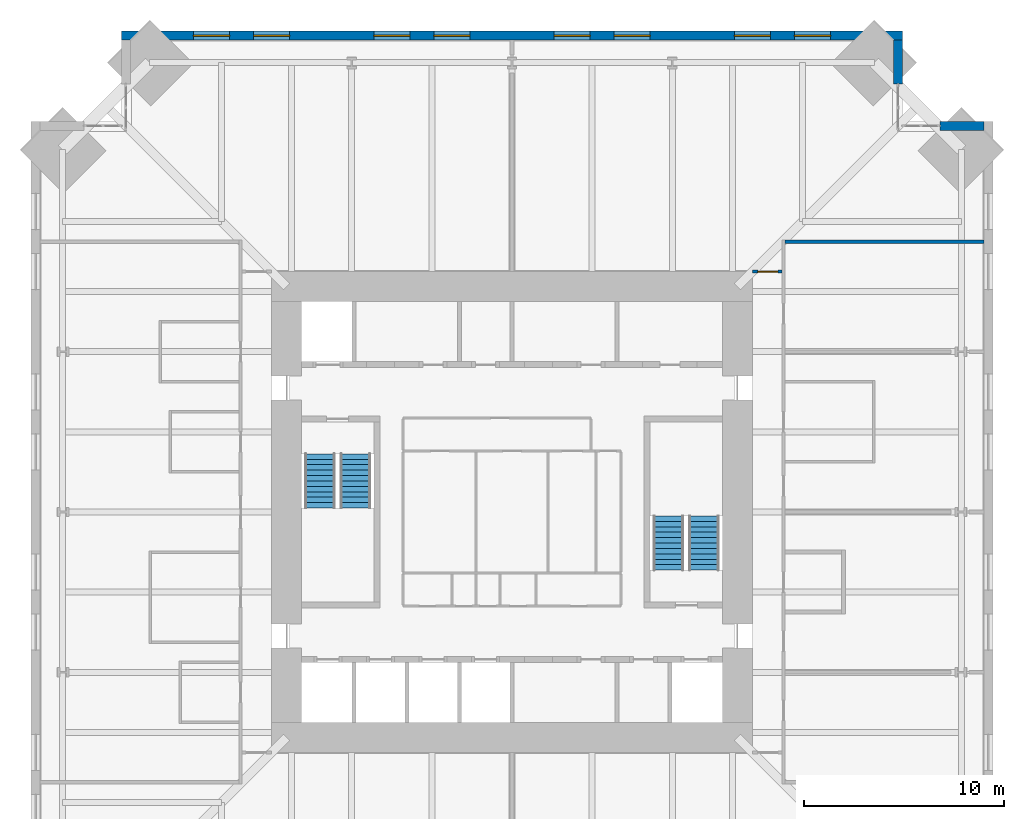
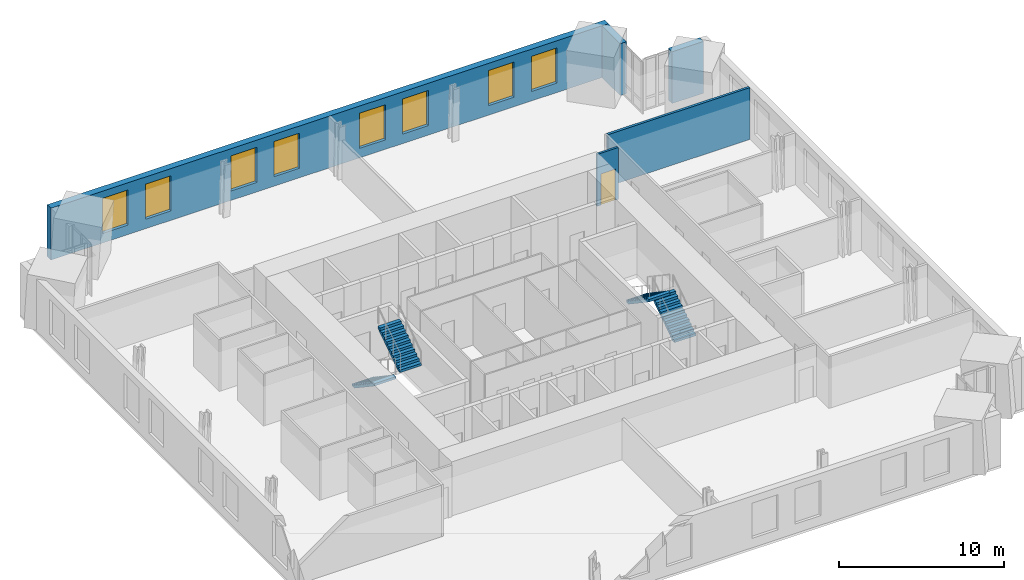
# One storey, part 14 of 15: 8 windows, 5 walls, 4 stair flights, 1 door, 9 openings, 2 elements without a shape of their own.
"""IFC4 building model written with IfcOpenShell, lengths in metres."""

import ifcopenshell
import ifcopenshell.guid

model = None  # the IFC model being written
_history = None  # IfcOwnerHistory: only IFC2X3 demands one
_inside = {}  # id of a spatial element -> (the spatial element, [elements in it])
_under = {}  # id of a project, library or spatial element -> (it, [spatial elements below it])
_declared = {}  # id of a project -> (the project, [libraries it declares])
_typed = {}  # id of a type object -> (the type object, [elements of that type])
_made_of = {}  # id of a material, layer set ... -> (it, [elements and type objects made of it])


def new_model(schema):
    """Start an empty IFC model of exactly this schema.

    Asked for "IFC4X3", IfcOpenShell would pick the latest addendum, in which some entities
    have other attributes; the version numbers below select the first issue.
    IFC2X3 requires an IfcOwnerHistory on every rooted entity: one is made here for all.
    """
    global model, _history
    if schema == "IFC4X3":
        model = ifcopenshell.file(schema_version=(4, 3, 0, 0))
    else:
        model = ifcopenshell.file(schema=schema)
    _inside.clear()
    _under.clear()
    _declared.clear()
    _typed.clear()
    _made_of.clear()
    _history = None
    if model.schema == "IFC2X3":
        org = make("IfcOrganization", Name="unknown")
        user = make(
            "IfcPersonAndOrganization",
            ThePerson=make("IfcPerson", FamilyName="unknown"),
            TheOrganization=org,
        )
        app = make(
            "IfcApplication",
            ApplicationDeveloper=org,
            Version="unknown",
            ApplicationFullName="unknown",
            ApplicationIdentifier="unknown",
        )
        _history = make(
            "IfcOwnerHistory",
            OwningUser=user,
            OwningApplication=app,
            ChangeAction="ADDED",
            CreationDate=0,
        )
    return model


def make(cls, **values):
    """One entity of the class cls with the attributes given. An attribute that is None is left unset."""
    return model.create_entity(
        cls, **{name: value for name, value in values.items() if value is not None}
    )


def rooted(cls, **values):
    """An entity with a GlobalId (a new one), such as an element, a storey or a relation."""
    return make(cls, GlobalId=ifcopenshell.guid.new(), OwnerHistory=_history, **values)


def si_unit(unit_type, name, prefix=None):
    """IfcSIUnit, for example si_unit("LENGTHUNIT", "METRE", prefix="MILLI")."""
    return make("IfcSIUnit", UnitType=unit_type, Prefix=prefix, Name=name)


def assignment(units):
    """IfcUnitAssignment: the units of a project."""
    return None if units is None else make("IfcUnitAssignment", Units=units)


def point(xyz):
    """IfcCartesianPoint."""
    return None if xyz is None else make("IfcCartesianPoint", Coordinates=xyz)


def direction(xyz):
    """IfcDirection."""
    return None if xyz is None else make("IfcDirection", DirectionRatios=xyz)


def frame(location, z_axis=None, x_axis=None):
    """IfcAxis2Placement3D, a coordinate frame: its origin and axes. An axis left out is left unset."""
    return make(
        "IfcAxis2Placement3D",
        Location=point(location),
        Axis=direction(z_axis),
        RefDirection=direction(x_axis),
    )


def frame_2d(location, x_axis=None):
    """IfcAxis2Placement2D, a coordinate frame in the plane: its origin and x axis."""
    return make(
        "IfcAxis2Placement2D", Location=point(location), RefDirection=direction(x_axis)
    )


def origin():
    """The frame at (0, 0, 0) with its axes left unset."""
    return frame((0.0, 0.0, 0.0))


def place(relative_to, where):
    """IfcLocalPlacement: puts the frame where relative to a parent placement (None: the world)."""
    return make(
        "IfcLocalPlacement", PlacementRelTo=relative_to, RelativePlacement=where
    )


def context(
    kind, dimensions, precision=None, world=None, true_north=None, identifier=None
):
    """IfcGeometricRepresentationContext, for example the 3D "Model" context."""
    return make(
        "IfcGeometricRepresentationContext",
        ContextIdentifier=identifier,
        ContextType=kind,
        CoordinateSpaceDimension=dimensions,
        Precision=precision,
        WorldCoordinateSystem=world,
        TrueNorth=true_north,
    )


def subcontext(parent, identifier, kind, view, scale=None):
    """IfcGeometricRepresentationSubContext, for example "Body" below "Model"."""
    return make(
        "IfcGeometricRepresentationSubContext",
        ContextIdentifier=identifier,
        ContextType=kind,
        ParentContext=parent,
        TargetScale=scale,
        TargetView=view,
    )


def project(units=None, contexts=None):
    """IfcProject with its units and contexts."""
    return rooted(
        "IfcProject",
        Name="project",
        RepresentationContexts=contexts,
        UnitsInContext=assignment(units),
    )


def spatial(cls, under=None, at=None, **own):
    """A site, building, storey or space (cls), placed at a placement, below another one or the project."""
    s = rooted(cls, ObjectPlacement=at, **own)
    if under is not None:
        _under.setdefault(under.id(), (under, []))[1].append(s)
    return s


def polyline(points):
    """IfcPolyline through the points."""
    return make("IfcPolyline", Points=[point(p) for p in points])


def profile(cls, at=None, kind="AREA", **sizes):
    """A parametric profile (cls). Its sizes go by their IFC names, for example OverallWidth=200.0."""
    return make(cls, ProfileType=kind, Position=at, **sizes)


def rectangle(**sizes):
    """IfcRectangleProfileDef."""
    return profile("IfcRectangleProfileDef", **sizes)


def outline(outer, holes=None, kind="AREA"):
    """IfcArbitraryClosedProfileDef: a profile drawn as a closed curve; with holes, ...WithVoids."""
    if holes is None:
        return make("IfcArbitraryClosedProfileDef", ProfileType=kind, OuterCurve=outer)
    return make(
        "IfcArbitraryProfileDefWithVoids",
        ProfileType=kind,
        OuterCurve=outer,
        InnerCurves=holes,
    )


def extrude(swept, where, along, depth):
    """IfcExtrudedAreaSolid: the profile swept, set in the frame where, extruded along a direction by depth."""
    return make(
        "IfcExtrudedAreaSolid",
        SweptArea=swept,
        Position=where,
        ExtrudedDirection=direction(along),
        Depth=depth,
    )


def shape(context_of_items, identifier, shape_type, items):
    """IfcShapeRepresentation: the items that make up one representation, for example the "Body"."""
    return make(
        "IfcShapeRepresentation",
        ContextOfItems=context_of_items,
        RepresentationIdentifier=identifier,
        RepresentationType=shape_type,
        Items=items,
    )


def material(Name=None, Category=None):
    """IfcMaterial."""
    return make("IfcMaterial", Name=Name, Category=Category)


def layer(
    of_material, thickness, ventilated=None, Name=None, Category=None, Priority=None
):
    """IfcMaterialLayer: one layer of a wall or slab, of a material (None: an air gap)."""
    return make(
        "IfcMaterialLayer",
        Material=of_material,
        LayerThickness=thickness,
        IsVentilated=ventilated,
        Name=Name,
        Category=Category,
        Priority=Priority,
    )


def layer_set(layers, Name=None):
    """IfcMaterialLayerSet."""
    return make("IfcMaterialLayerSet", MaterialLayers=layers, LayerSetName=Name)


def made_of(thing, what):
    """Note that an element or type object is made of a material, layer set ...; save() writes the relation."""
    if what is not None:
        _made_of.setdefault(what.id(), (what, []))[1].append(thing)
    return thing


def type_object(cls, material=None, **own):
    """A type object (cls), such as IfcWallType, which elements share."""
    return made_of(rooted(cls, **own), material)


def element(
    cls,
    number,
    at=None,
    inside=None,
    cuts=None,
    type_object=None,
    material=None,
    context=None,
    identifier="Body",
    shape_type=None,
    held_by="IfcProductDefinitionShape",
    body=None,
    shapes=None,
    **own,
):
    """One element of the class cls, such as IfcWall. Its Tag is "e" and its number.

    at: its placement. inside: the storey or other place that contains it. cuts: it is an
    opening in that element (IfcRelVoidsElement). A single representation is given by context,
    identifier, shape_type and body (its items); several are given by shapes. held_by: the class
    of the entity that holds the representations. save() writes the other relations.
    """
    e = rooted(cls, Tag="e%d" % number, ObjectPlacement=at, **own)
    if body is not None:
        shapes = [shape(context, identifier, shape_type, body)]
    if shapes is not None:
        e.Representation = make(held_by, Representations=shapes)
    if inside is not None:
        _inside.setdefault(inside.id(), (inside, []))[1].append(e)
    if cuts is not None:
        rooted(
            "IfcRelVoidsElement", RelatingBuildingElement=cuts, RelatedOpeningElement=e
        )
    if type_object is not None:
        _typed.setdefault(type_object.id(), (type_object, []))[1].append(e)
    return made_of(e, material)


def fill(opening, filler):
    """IfcRelFillsElement: the door or window that sits in an opening."""
    return rooted(
        "IfcRelFillsElement",
        RelatingOpeningElement=opening,
        RelatedBuildingElement=filler,
    )


def aggregate(whole, parts):
    """IfcRelAggregates: a whole, such as a stair, and the parts it consists of."""
    return rooted("IfcRelAggregates", RelatingObject=whole, RelatedObjects=parts)


def save(model, path):
    """Write the relations noted so far, then the file.

    IfcRelAggregates (storeys below a building ...), IfcRelContainedInSpatialStructure (elements
    in a storey), IfcRelDefinesByType, IfcRelAssociatesMaterial and IfcRelDeclares: one each for
    every whole, place, type object, material and project.
    """
    for whole, parts in _under.values():
        aggregate(whole, parts)
    for where, things in _inside.values():
        rooted(
            "IfcRelContainedInSpatialStructure",
            RelatedElements=things,
            RelatingStructure=where,
        )
    for kind, things in _typed.values():
        rooted("IfcRelDefinesByType", RelatedObjects=things, RelatingType=kind)
    for what, things in _made_of.values():
        rooted("IfcRelAssociatesMaterial", RelatedObjects=things, RelatingMaterial=what)
    for by, libraries in _declared.values():
        rooted("IfcRelDeclares", RelatingContext=by, RelatedDefinitions=libraries)
    model.write(path)


model = new_model("IFC4")

# Units and contexts
model_context = context("Model", 3, precision=1e-05, world=origin(), true_north=direction((0.0, 1.0)))
body_context = subcontext(model_context, "Body", "Model", "MODEL_VIEW")
ifc_project = project(units=[si_unit("LENGTHUNIT", "METRE"), si_unit("AREAUNIT", "SQUARE_METRE"), si_unit("VOLUMEUNIT", "CUBIC_METRE"), si_unit("PLANEANGLEUNIT", "RADIAN"), si_unit("MASSUNIT", "GRAM", prefix="KILO")], contexts=[model_context])

# Site, building, storey
site_placement = place(None, origin())
site = spatial("IfcSite", under=ifc_project, at=site_placement, CompositionType="ELEMENT")
building_placement = place(site_placement, origin())
building = spatial("IfcBuilding", under=site, at=building_placement, Name="Peilmerk Tower", CompositionType="ELEMENT")
storey_placement = place(building_placement, frame((0.0, 0.0, 209.800048828125)))
storey = spatial("IfcBuildingStorey", under=building, at=storey_placement, Name="L45", CompositionType="ELEMENT", Elevation=209.800048828125)

# Wall, openings, windows
ifc_material_1 = material(Name="Precast concrete C45/55, board-marked finish", Category="concrete")
ifc_layer_1 = layer(ifc_material_1, 0.449951171875)
ifc_layer_set_1 = layer_set([ifc_layer_1], Name="Precast concrete C45/55, board-marked finish")
wall_type_1 = type_object("IfcWallType", Name="EW1 450 precast concrete facade wall, board-marked", PredefinedType="SOLIDWALL", material=ifc_layer_set_1)
wall_1_placement = place(storey_placement, frame((19.5, 23.77490234375, 0.0), z_axis=(0.0, 0.0, 1.0), x_axis=(-1.0, 0.0, 0.0)))
wall_1 = element("IfcWall", 1, at=wall_1_placement, inside=storey, type_object=wall_type_1, Name="Facade wall N L45", PredefinedType="SOLIDWALL", context=body_context, shape_type="SweptSolid", body=[
    extrude(rectangle(XDim=39.0, YDim=0.449951171875, at=frame_2d((19.5, 0.0))), origin(), (0.0, 0.0, 1.0), 3.829833984375),
])
opening_1_placement = place(wall_1_placement, frame((3.60009765625, 0.0, 0.699951171875)))
opening_1 = element("IfcOpeningElement", 2, at=opening_1_placement, cuts=wall_1, Name="Opening W1", PredefinedType="OPENING", context=body_context, shape_type="SweptSolid", body=[
    extrude(rectangle(XDim=1.800048828125, YDim=2.60009765625, at=frame_2d((0.89990234375, 1.300048828125))), frame((0.0, 0.23486328125, 0.0), z_axis=(0.0, -1.0, 0.0), x_axis=(1.0, 0.0, 0.0)), (0.0, 0.0, 1.0), 0.469970703125),
])
opening_2_placement = place(wall_1_placement, frame((6.60009765625, 0.0, 0.699951171875)))
opening_2 = element("IfcOpeningElement", 3, at=opening_2_placement, cuts=wall_1, Name="Opening W1", PredefinedType="OPENING", context=body_context, shape_type="SweptSolid", body=[
    extrude(rectangle(XDim=1.800048828125, YDim=2.60009765625, at=frame_2d((0.89990234375, 1.300048828125))), frame((0.0, 0.23486328125, 0.0), z_axis=(0.0, -1.0, 0.0), x_axis=(1.0, 0.0, 0.0)), (0.0, 0.0, 1.0), 0.469970703125),
])
opening_3_placement = place(wall_1_placement, frame((12.60009765625, 0.0, 0.699951171875)))
opening_3 = element("IfcOpeningElement", 4, at=opening_3_placement, cuts=wall_1, Name="Opening W1", PredefinedType="OPENING", context=body_context, shape_type="SweptSolid", body=[
    extrude(rectangle(XDim=1.800048828125, YDim=2.60009765625, at=frame_2d((0.89990234375, 1.300048828125))), frame((0.0, 0.23486328125, 0.0), z_axis=(0.0, -1.0, 0.0), x_axis=(1.0, 0.0, 0.0)), (0.0, 0.0, 1.0), 0.469970703125),
])
opening_4_placement = place(wall_1_placement, frame((15.60009765625, 0.0, 0.699951171875)))
opening_4 = element("IfcOpeningElement", 5, at=opening_4_placement, cuts=wall_1, Name="Opening W1", PredefinedType="OPENING", context=body_context, shape_type="SweptSolid", body=[
    extrude(rectangle(XDim=1.800048828125, YDim=2.60009765625, at=frame_2d((0.89990234375, 1.300048828125))), frame((0.0, 0.23486328125, 0.0), z_axis=(0.0, -1.0, 0.0), x_axis=(1.0, 0.0, 0.0)), (0.0, 0.0, 1.0), 0.469970703125),
])
opening_5_placement = place(wall_1_placement, frame((21.60009765625, 0.0, 0.699951171875)))
opening_5 = element("IfcOpeningElement", 6, at=opening_5_placement, cuts=wall_1, Name="Opening W1", PredefinedType="OPENING", context=body_context, shape_type="SweptSolid", body=[
    extrude(rectangle(XDim=1.800048828125, YDim=2.60009765625, at=frame_2d((0.89990234375, 1.300048828125))), frame((0.0, 0.23486328125, 0.0), z_axis=(0.0, -1.0, 0.0), x_axis=(1.0, 0.0, 0.0)), (0.0, 0.0, 1.0), 0.469970703125),
])
opening_6_placement = place(wall_1_placement, frame((24.60009765625, 0.0, 0.699951171875)))
opening_6 = element("IfcOpeningElement", 7, at=opening_6_placement, cuts=wall_1, Name="Opening W1", PredefinedType="OPENING", context=body_context, shape_type="SweptSolid", body=[
    extrude(rectangle(XDim=1.800048828125, YDim=2.60009765625, at=frame_2d((0.89990234375, 1.300048828125))), frame((0.0, 0.23486328125, 0.0), z_axis=(0.0, -1.0, 0.0), x_axis=(1.0, 0.0, 0.0)), (0.0, 0.0, 1.0), 0.469970703125),
])
opening_7_placement = place(wall_1_placement, frame((30.60009765625, 0.0, 0.699951171875)))
opening_7 = element("IfcOpeningElement", 8, at=opening_7_placement, cuts=wall_1, Name="Opening W1", PredefinedType="OPENING", context=body_context, shape_type="SweptSolid", body=[
    extrude(rectangle(XDim=1.800048828125, YDim=2.60009765625, at=frame_2d((0.89990234375, 1.300048828125))), frame((0.0, 0.23486328125, 0.0), z_axis=(0.0, -1.0, 0.0), x_axis=(1.0, 0.0, 0.0)), (0.0, 0.0, 1.0), 0.469970703125),
])
opening_8_placement = place(wall_1_placement, frame((33.60009765625, 0.0, 0.699951171875)))
opening_8 = element("IfcOpeningElement", 9, at=opening_8_placement, cuts=wall_1, Name="Opening W1", PredefinedType="OPENING", context=body_context, shape_type="SweptSolid", body=[
    extrude(rectangle(XDim=1.800048828125, YDim=2.60009765625, at=frame_2d((0.89990234375, 1.300048828125))), frame((0.0, 0.23486328125, 0.0), z_axis=(0.0, -1.0, 0.0), x_axis=(1.0, 0.0, 0.0)), (0.0, 0.0, 1.0), 0.469970703125),
])
ifc_material_2 = material(Name="Aluminium frame, clear double glazing", Category="aluminium")
window_type = type_object("IfcWindowType", Name="W1 1800x2600 office window", PartitioningType="SINGLE_PANEL", PredefinedType="WINDOW", material=ifc_material_2)
window_1_placement = place(opening_1_placement, origin())
window_1 = element("IfcWindow", 10, at=window_1_placement, inside=storey, type_object=window_type, Name="Window W1 L45", OverallHeight=2.60009765625, OverallWidth=1.800048828125, PartitioningType="SINGLE_PANEL", PredefinedType="WINDOW", context=body_context, shape_type="SweptSolid", body=[
    extrude(rectangle(XDim=1.800048828125, YDim=2.60009765625, at=frame_2d((0.89990234375, 1.300048828125))), frame((0.0, 0.030029296875, 0.0), z_axis=(0.0, -1.0, 0.0), x_axis=(1.0, 0.0, 0.0)), (0.0, 0.0, 1.0), 0.06005859375),
])
fill(opening_1, window_1)
window_2_placement = place(opening_2_placement, origin())
window_2 = element("IfcWindow", 11, at=window_2_placement, inside=storey, type_object=window_type, Name="Window W1 L45", OverallHeight=2.60009765625, OverallWidth=1.800048828125, PartitioningType="SINGLE_PANEL", PredefinedType="WINDOW", context=body_context, shape_type="SweptSolid", body=[
    extrude(rectangle(XDim=1.800048828125, YDim=2.60009765625, at=frame_2d((0.89990234375, 1.300048828125))), frame((0.0, 0.030029296875, 0.0), z_axis=(0.0, -1.0, 0.0), x_axis=(1.0, 0.0, 0.0)), (0.0, 0.0, 1.0), 0.06005859375),
])
fill(opening_2, window_2)
window_3_placement = place(opening_3_placement, origin())
window_3 = element("IfcWindow", 12, at=window_3_placement, inside=storey, type_object=window_type, Name="Window W1 L45", OverallHeight=2.60009765625, OverallWidth=1.800048828125, PartitioningType="SINGLE_PANEL", PredefinedType="WINDOW", context=body_context, shape_type="SweptSolid", body=[
    extrude(rectangle(XDim=1.800048828125, YDim=2.60009765625, at=frame_2d((0.89990234375, 1.300048828125))), frame((0.0, 0.030029296875, 0.0), z_axis=(0.0, -1.0, 0.0), x_axis=(1.0, 0.0, 0.0)), (0.0, 0.0, 1.0), 0.06005859375),
])
fill(opening_3, window_3)
window_4_placement = place(opening_4_placement, origin())
window_4 = element("IfcWindow", 13, at=window_4_placement, inside=storey, type_object=window_type, Name="Window W1 L45", OverallHeight=2.60009765625, OverallWidth=1.800048828125, PartitioningType="SINGLE_PANEL", PredefinedType="WINDOW", context=body_context, shape_type="SweptSolid", body=[
    extrude(rectangle(XDim=1.800048828125, YDim=2.60009765625, at=frame_2d((0.89990234375, 1.300048828125))), frame((0.0, 0.030029296875, 0.0), z_axis=(0.0, -1.0, 0.0), x_axis=(1.0, 0.0, 0.0)), (0.0, 0.0, 1.0), 0.06005859375),
])
fill(opening_4, window_4)
window_5_placement = place(opening_5_placement, origin())
window_5 = element("IfcWindow", 14, at=window_5_placement, inside=storey, type_object=window_type, Name="Window W1 L45", OverallHeight=2.60009765625, OverallWidth=1.800048828125, PartitioningType="SINGLE_PANEL", PredefinedType="WINDOW", context=body_context, shape_type="SweptSolid", body=[
    extrude(rectangle(XDim=1.800048828125, YDim=2.60009765625, at=frame_2d((0.89990234375, 1.300048828125))), frame((0.0, 0.030029296875, 0.0), z_axis=(0.0, -1.0, 0.0), x_axis=(1.0, 0.0, 0.0)), (0.0, 0.0, 1.0), 0.06005859375),
])
fill(opening_5, window_5)
window_6_placement = place(opening_6_placement, origin())
window_6 = element("IfcWindow", 15, at=window_6_placement, inside=storey, type_object=window_type, Name="Window W1 L45", OverallHeight=2.60009765625, OverallWidth=1.800048828125, PartitioningType="SINGLE_PANEL", PredefinedType="WINDOW", context=body_context, shape_type="SweptSolid", body=[
    extrude(rectangle(XDim=1.800048828125, YDim=2.60009765625, at=frame_2d((0.89990234375, 1.300048828125))), frame((0.0, 0.030029296875, 0.0), z_axis=(0.0, -1.0, 0.0), x_axis=(1.0, 0.0, 0.0)), (0.0, 0.0, 1.0), 0.06005859375),
])
fill(opening_6, window_6)
window_7_placement = place(opening_7_placement, origin())
window_7 = element("IfcWindow", 16, at=window_7_placement, inside=storey, type_object=window_type, Name="Window W1 L45", OverallHeight=2.60009765625, OverallWidth=1.800048828125, PartitioningType="SINGLE_PANEL", PredefinedType="WINDOW", context=body_context, shape_type="SweptSolid", body=[
    extrude(rectangle(XDim=1.800048828125, YDim=2.60009765625, at=frame_2d((0.89990234375, 1.300048828125))), frame((0.0, 0.030029296875, 0.0), z_axis=(0.0, -1.0, 0.0), x_axis=(1.0, 0.0, 0.0)), (0.0, 0.0, 1.0), 0.06005859375),
])
fill(opening_7, window_7)
window_8_placement = place(opening_8_placement, origin())
window_8 = element("IfcWindow", 17, at=window_8_placement, inside=storey, type_object=window_type, Name="Window W1 L45", OverallHeight=2.60009765625, OverallWidth=1.800048828125, PartitioningType="SINGLE_PANEL", PredefinedType="WINDOW", context=body_context, shape_type="SweptSolid", body=[
    extrude(rectangle(XDim=1.800048828125, YDim=2.60009765625, at=frame_2d((0.89990234375, 1.300048828125))), frame((0.0, 0.030029296875, 0.0), z_axis=(0.0, -1.0, 0.0), x_axis=(1.0, 0.0, 0.0)), (0.0, 0.0, 1.0), 0.06005859375),
])
fill(opening_8, window_8)

# Walls
for number, where, z_axis, x_axis, name in (
    (18, (19.27490234375, 21.353759765625, 0.0), (0.0, 0.0, 1.0), (0.0, 1.0, 0.0), "Facade wall NEA L45"),
    (19, (21.353759765625, 19.27490234375, 0.0), (0.0, 0.0, 1.0), (1.0, 0.0, 0.0), "Facade wall NEB L45"),
):
    element("IfcWall", number, at=place(storey_placement, frame(where, z_axis=z_axis, x_axis=x_axis)), inside=storey, type_object=wall_type_1, Name=name, PredefinedType="SOLIDWALL", context=body_context, shape_type="SweptSolid", body=[
        extrude(rectangle(XDim=2.1962890625, YDim=0.449951171875, at=frame_2d((1.09814453125, 0.0))), origin(), (0.0, 0.0, 1.0), 3.829833984375),
    ])

# Wall, opening, door
ifc_material_3 = material(Name="Calcium silicate block", Category="masonry")
ifc_layer_2 = layer(ifc_material_3, 0.14990234375)
ifc_layer_set_2 = layer_set([ifc_layer_2], Name="Calcium silicate block")
wall_type_2 = type_object("IfcWallType", Name="IW1 150 corridor partition, EI 60", PredefinedType="PARTITIONING", material=ifc_layer_set_2)
wall_2_placement = place(storey_placement, frame((12.0, 12.0, 0.0), z_axis=(0.0, 0.0, 1.0), x_axis=(1.0, 0.0, 0.0)))
wall_2 = element("IfcWall", 20, at=wall_2_placement, inside=storey, type_object=wall_type_2, Name="Corridor wall NE L45", PredefinedType="PARTITIONING", context=body_context, shape_type="SweptSolid", body=[
    extrude(rectangle(XDim=1.47509765625, YDim=0.14990234375, at=frame_2d((0.737548828125, 0.0))), origin(), (0.0, 0.0, 1.0), 3.829833984375),
])
opening_9_placement = place(wall_2_placement, frame((0.27490234375, 0.0, 0.0)))
opening_9 = element("IfcOpeningElement", 21, at=opening_9_placement, cuts=wall_2, Name="Opening D1", PredefinedType="OPENING", context=body_context, shape_type="SweptSolid", body=[
    extrude(rectangle(XDim=1.0, YDim=2.300048828125, at=frame_2d((0.5, 1.14990234375))), frame((0.0, 0.0849609375, 0.0), z_axis=(0.0, -1.0, 0.0), x_axis=(1.0, 0.0, 0.0)), (0.0, 0.0, 1.0), 0.169921875),
])
ifc_material_4 = material(Name="Timber door in steel frame", Category="steel")
door_type = type_object("IfcDoorType", Name="D1 1000x2300 room door, EI2 30", OperationType="SINGLE_SWING_LEFT", PredefinedType="DOOR", material=ifc_material_4)
door_placement = place(opening_9_placement, origin())
door = element("IfcDoor", 22, at=door_placement, inside=storey, type_object=door_type, Name="Door Project room L45", OperationType="SINGLE_SWING_LEFT", OverallHeight=2.300048828125, OverallWidth=1.0, PredefinedType="DOOR", context=body_context, shape_type="SweptSolid", body=[
    extrude(rectangle(XDim=1.0, YDim=2.300048828125, at=frame_2d((0.5, 1.14990234375))), frame((0.0, 0.02490234375, 0.0), z_axis=(0.0, -1.0, 0.0), x_axis=(1.0, 0.0, 0.0)), (0.0, 0.0, 1.0), 0.050048828125),
])
fill(opening_9, door)

# Wall
ifc_layer_3 = layer(ifc_material_3, 0.175048828125)
ifc_layer_set_3 = layer_set([ifc_layer_3], Name="Calcium silicate block")
wall_type_3 = type_object("IfcWallType", Name="IW8 175 tenant separating wall, EI 60", PredefinedType="PARTITIONING", material=ifc_layer_set_3)
wall_3_placement = place(storey_placement, frame((13.625, 13.5, 0.0), z_axis=(0.0, 0.0, 1.0), x_axis=(1.0, 0.0, 0.0)))
element("IfcWall", 23, at=wall_3_placement, inside=storey, type_object=wall_type_3, Name="Tenant separating wall NE L45", PredefinedType="PARTITIONING", context=body_context, shape_type="SweptSolid", body=[
    extrude(rectangle(XDim=9.925048828125, YDim=0.175048828125, at=frame_2d((4.96240234375, 0.0))), origin(), (0.0, 0.0, 1.0), 3.829833984375),
])

# Stair, stair flights
ifc_material_5 = material(Name="Precast concrete C45/55", Category="concrete")
stair_type_1 = type_object("IfcStairType", Name="ST1 22 risers of 181.8", PredefinedType="HALF_TURN_STAIR", material=ifc_material_5)
stair_1_placement = place(storey_placement, origin())
stair_1 = element("IfcStair", 24, at=stair_1_placement, inside=storey, type_object=stair_type_1, Name="Stair 1 L45 to L46", PredefinedType="HALF_TURN_STAIR")
stair_flight_type = type_object("IfcStairFlightType", Name="SF11 flight, 11 risers of 181.8", PredefinedType="STRAIGHT", material=ifc_material_5)
stair_flight_1_placement = place(storey_placement, frame((-9.60009765625, 2.89990234375, 0.0), z_axis=(0.0, 0.0, 1.0), x_axis=(0.0, -1.0, 0.0)))
stair_flight_1 = element("IfcStairFlight", 25, at=stair_flight_1_placement, type_object=stair_flight_type, Name="ST1 flight 1", NumberOfRisers=11, NumberOfTreads=10, PredefinedType="STRAIGHT", RiserHeight=0.181818182, TreadLength=0.27, context=body_context, shape_type="SweptSolid", body=[
    extrude(outline(polyline([(0.0, 0.0), (0.0, 0.181884765625), (0.27001953125, 0.181884765625), (0.27001953125, 0.363525390625), (0.5400390625, 0.363525390625), (0.5400390625, 0.54541015625), (0.81005859375, 0.54541015625), (0.81005859375, 0.727294921875), (1.080078125, 0.727294921875), (1.080078125, 0.9091796875), (1.35009765625, 0.9091796875), (1.35009765625, 1.0908203125), (1.6201171875, 1.0908203125), (1.6201171875, 1.272705078125), (1.889892578125, 1.272705078125), (1.889892578125, 1.45458984375), (2.159912109375, 1.45458984375), (2.159912109375, 1.636474609375), (2.429931640625, 1.636474609375), (2.429931640625, 1.818115234375), (2.699951171875, 1.818115234375), (2.699951171875, 2.0), (2.699951171875, 1.637451171875), (0.268310546875, 0.0), (0.0, 0.0)])), frame((0.0, 0.75, 0.0), z_axis=(0.0, -1.0, 0.0), x_axis=(1.0, 0.0, 0.0)), (0.0, 0.0, 1.0), 1.5),
])
stair_flight_2_placement = place(storey_placement, frame((-7.800048828125, 0.199951171875, 2.0), z_axis=(0.0, 0.0, 1.0), x_axis=(0.0, 1.0, 0.0)))
stair_flight_2 = element("IfcStairFlight", 26, at=stair_flight_2_placement, type_object=stair_flight_type, Name="ST1 flight 2", NumberOfRisers=11, NumberOfTreads=10, PredefinedType="STRAIGHT", RiserHeight=0.181818182, TreadLength=0.27, context=body_context, shape_type="SweptSolid", body=[
    extrude(outline(polyline([(0.0, 0.0), (0.0, 0.181884765625), (0.27001953125, 0.181884765625), (0.27001953125, 0.363525390625), (0.5400390625, 0.363525390625), (0.5400390625, 0.54541015625), (0.81005859375, 0.54541015625), (0.81005859375, 0.727294921875), (1.080078125, 0.727294921875), (1.080078125, 0.9091796875), (1.35009765625, 0.9091796875), (1.35009765625, 1.0908203125), (1.6201171875, 1.0908203125), (1.6201171875, 1.272705078125), (1.889892578125, 1.272705078125), (1.889892578125, 1.45458984375), (2.159912109375, 1.45458984375), (2.159912109375, 1.636474609375), (2.429931640625, 1.636474609375), (2.429931640625, 1.818115234375), (2.699951171875, 1.818115234375), (2.699951171875, 2.0), (2.699951171875, 1.637451171875), (0.268310546875, 0.0), (0.0, 0.0)])), frame((0.0, 0.75, 0.0), z_axis=(0.0, -1.0, 0.0), x_axis=(1.0, 0.0, 0.0)), (0.0, 0.0, 1.0), 1.5),
])
aggregate(stair_1, [stair_flight_1, stair_flight_2])

stair_type_2 = type_object("IfcStairType", Name="ST2 22 risers of 181.8", PredefinedType="HALF_TURN_STAIR", material=ifc_material_5)
stair_2_placement = place(storey_placement, origin())
stair_2 = element("IfcStair", 27, at=stair_2_placement, inside=storey, type_object=stair_type_2, Name="Stair 2 L45 to L46", PredefinedType="HALF_TURN_STAIR")
stair_flight_3_placement = place(storey_placement, frame((9.60009765625, -2.89990234375, 0.0), z_axis=(0.0, 0.0, 1.0), x_axis=(0.0, 1.0, 0.0)))
stair_flight_3 = element("IfcStairFlight", 28, at=stair_flight_3_placement, type_object=stair_flight_type, Name="ST2 flight 1", NumberOfRisers=11, NumberOfTreads=10, PredefinedType="STRAIGHT", RiserHeight=0.181818182, TreadLength=0.27, context=body_context, shape_type="SweptSolid", body=[
    extrude(outline(polyline([(0.0, 0.0), (0.0, 0.181884765625), (0.27001953125, 0.181884765625), (0.27001953125, 0.363525390625), (0.5400390625, 0.363525390625), (0.5400390625, 0.54541015625), (0.81005859375, 0.54541015625), (0.81005859375, 0.727294921875), (1.080078125, 0.727294921875), (1.080078125, 0.9091796875), (1.35009765625, 0.9091796875), (1.35009765625, 1.0908203125), (1.6201171875, 1.0908203125), (1.6201171875, 1.272705078125), (1.889892578125, 1.272705078125), (1.889892578125, 1.45458984375), (2.159912109375, 1.45458984375), (2.159912109375, 1.636474609375), (2.429931640625, 1.636474609375), (2.429931640625, 1.818115234375), (2.699951171875, 1.818115234375), (2.699951171875, 2.0), (2.699951171875, 1.637451171875), (0.268310546875, 0.0), (0.0, 0.0)])), frame((0.0, 0.75, 0.0), z_axis=(0.0, -1.0, 0.0), x_axis=(1.0, 0.0, 0.0)), (0.0, 0.0, 1.0), 1.5),
])
stair_flight_4_placement = place(storey_placement, frame((7.800048828125, -0.199951171875, 2.0), z_axis=(0.0, 0.0, 1.0), x_axis=(0.0, -1.0, 0.0)))
stair_flight_4 = element("IfcStairFlight", 29, at=stair_flight_4_placement, type_object=stair_flight_type, Name="ST2 flight 2", NumberOfRisers=11, NumberOfTreads=10, PredefinedType="STRAIGHT", RiserHeight=0.181818182, TreadLength=0.27, context=body_context, shape_type="SweptSolid", body=[
    extrude(outline(polyline([(0.0, 0.0), (0.0, 0.181884765625), (0.27001953125, 0.181884765625), (0.27001953125, 0.363525390625), (0.5400390625, 0.363525390625), (0.5400390625, 0.54541015625), (0.81005859375, 0.54541015625), (0.81005859375, 0.727294921875), (1.080078125, 0.727294921875), (1.080078125, 0.9091796875), (1.35009765625, 0.9091796875), (1.35009765625, 1.0908203125), (1.6201171875, 1.0908203125), (1.6201171875, 1.272705078125), (1.889892578125, 1.272705078125), (1.889892578125, 1.45458984375), (2.159912109375, 1.45458984375), (2.159912109375, 1.636474609375), (2.429931640625, 1.636474609375), (2.429931640625, 1.818115234375), (2.699951171875, 1.818115234375), (2.699951171875, 2.0), (2.699951171875, 1.637451171875), (0.268310546875, 0.0), (0.0, 0.0)])), frame((0.0, 0.75, 0.0), z_axis=(0.0, -1.0, 0.0), x_axis=(1.0, 0.0, 0.0)), (0.0, 0.0, 1.0), 1.5),
])
aggregate(stair_2, [stair_flight_3, stair_flight_4])

save(model, "model.ifc")
